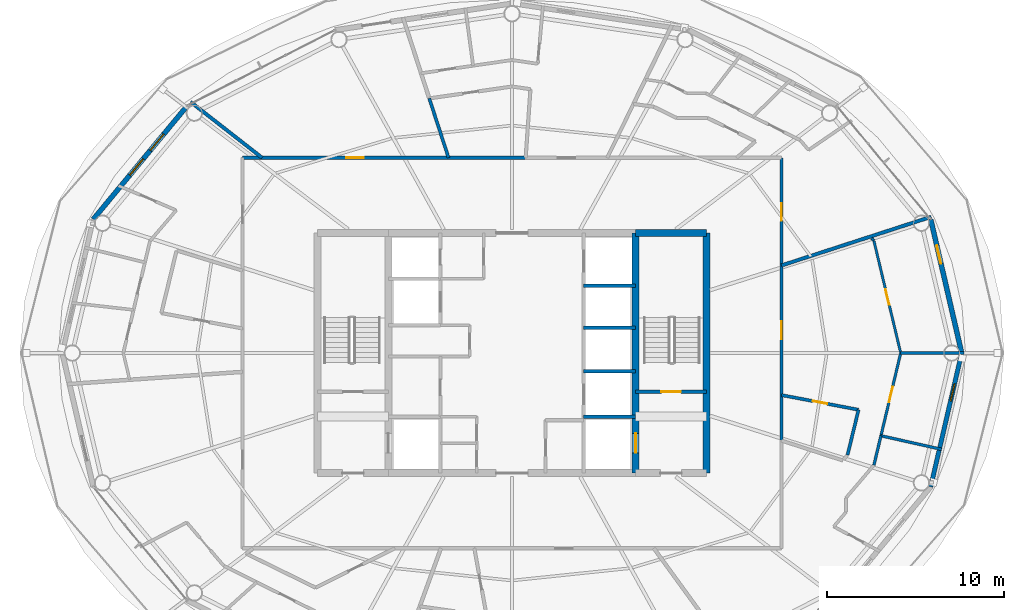
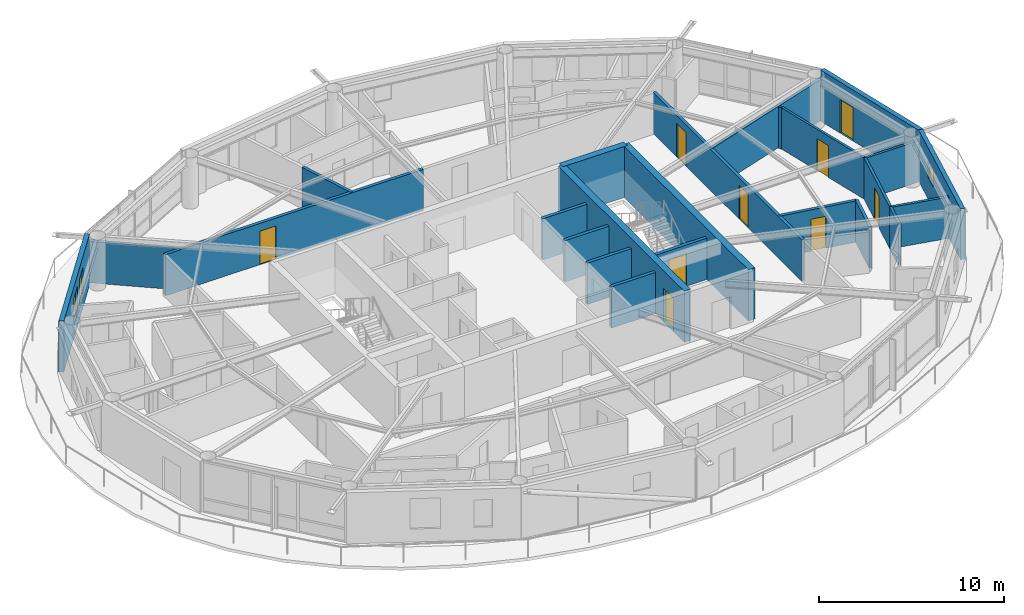
# One storey, part 18 of 23: 24 walls, 9 doors, 3 windows, 12 openings.
"""IFC4 building model written with IfcOpenShell, lengths in metres."""

from ifc_helpers import new_model, si_unit, direction, frame, frame_2d, origin, place, context, subcontext, project, spatial, rectangle, extrude, material, layer, layer_set, type_object, element, fill, save


model = new_model("IFC4")

# Units and contexts
model_context = context("Model", 3, precision=1e-05, world=origin(), true_north=direction((0.0, 1.0)))
body_context = subcontext(model_context, "Body", "Model", "MODEL_VIEW")
ifc_project = project(units=[si_unit("LENGTHUNIT", "METRE"), si_unit("AREAUNIT", "SQUARE_METRE"), si_unit("VOLUMEUNIT", "CUBIC_METRE"), si_unit("PLANEANGLEUNIT", "RADIAN"), si_unit("MASSUNIT", "GRAM", prefix="KILO")], contexts=[model_context])

# Site, building, storey
site_placement = place(None, origin())
site = spatial("IfcSite", under=ifc_project, at=site_placement, CompositionType="ELEMENT")
building_placement = place(site_placement, origin())
building = spatial("IfcBuilding", under=site, at=building_placement, Name="Sarneth Arch Tower", CompositionType="ELEMENT")
storey_placement = place(building_placement, frame((0.0, 0.0, 217.199951171875)))
storey = spatial("IfcBuildingStorey", under=building, at=storey_placement, Name="L55", CompositionType="ELEMENT", Elevation=217.199951171875)

# Walls
ifc_material_1 = material(Name="Concrete C50/60", Category="concrete")
ifc_layer_1 = layer(ifc_material_1, 0.39990234375)
ifc_layer_set_1 = layer_set([ifc_layer_1], Name="Concrete C50/60")
wall_type_1 = type_object("IfcWallType", Name="WALL-CORE-400", PredefinedType="SHEAR", material=ifc_layer_set_1)
wall_1_placement = place(storey_placement, frame((55.0, 48.800048828125, 0.0), z_axis=(0.0, 0.0, 1.0), x_axis=(1.0, 0.0, 0.0)))
element("IfcWall", 1, at=wall_1_placement, inside=storey, type_object=wall_type_1, Name="L55 Core shear wall N-E", PredefinedType="SHEAR", context=body_context, shape_type="SweptSolid", body=[
    extrude(rectangle(XDim=4.0, YDim=0.39990234375, at=frame_2d((2.0, 0.0))), origin(), (0.0, 0.0, 1.0), 3.360107421875),
])
wall_2_placement = place(storey_placement, frame((59.0, 35.199951171875, 0.0), z_axis=(0.0, 0.0, 1.0), x_axis=(0.0, 1.0, 0.0)))
element("IfcWall", 2, at=wall_2_placement, inside=storey, type_object=wall_type_1, Name="L55 Core shear wall E", PredefinedType="SHEAR", context=body_context, shape_type="SweptSolid", body=[
    extrude(rectangle(XDim=13.60009765625, YDim=0.39990234375, at=frame_2d((6.800048828125, 0.0))), origin(), (0.0, 0.0, 1.0), 3.360107421875),
])

# Wall, opening, door
wall_3_placement = place(storey_placement, frame((55.0, 35.199951171875, 0.0), z_axis=(0.0, 0.0, 1.0), x_axis=(0.0, 1.0, 0.0)))
wall_3 = element("IfcWall", 3, at=wall_3_placement, inside=storey, type_object=wall_type_1, Name="L55 Core shear wall WEB-E", PredefinedType="SHEAR", context=body_context, shape_type="SweptSolid", body=[
    extrude(rectangle(XDim=13.60009765625, YDim=0.39990234375, at=frame_2d((6.800048828125, 0.0))), origin(), (0.0, 0.0, 1.0), 3.360107421875),
])
opening_1_placement = place(wall_3_placement, frame((1.14990234375, 0.0, 0.0)))
opening_1 = element("IfcOpeningElement", 4, at=opening_1_placement, cuts=wall_3, Name="Opening LD-1", PredefinedType="OPENING", context=body_context, shape_type="SweptSolid", body=[
    extrude(rectangle(XDim=1.10009765625, YDim=2.199951171875, at=frame_2d((0.550048828125, 1.10009765625))), frame((0.0, 0.2099609375, 0.0), z_axis=(0.0, -1.0, 0.0), x_axis=(1.0, 0.0, 0.0)), (0.0, 0.0, 1.0), 0.419921875),
])
ifc_material_2 = material(Name="Brushed Stainless Steel 304 lift landing door", Category="steel")
door_type_1 = type_object("IfcDoorType", Name="DR-LIFT-SLIDE-1100", OperationType="SLIDING_TO_LEFT", PredefinedType="DOOR", material=ifc_material_2)
door_1_placement = place(opening_1_placement, origin())
door_1 = element("IfcDoor", 5, at=door_1_placement, inside=storey, type_object=door_type_1, Name="L55 Firefighting lift landing door FL-2", OperationType="SLIDING_TO_RIGHT", OverallHeight=2.199951171875, OverallWidth=1.10009765625, PredefinedType="DOOR", context=body_context, shape_type="SweptSolid", body=[
    extrude(rectangle(XDim=1.10009765625, YDim=2.199951171875, at=frame_2d((0.550048828125, 1.10009765625))), frame((0.0, 0.02490234375, 0.0), z_axis=(0.0, -1.0, 0.0), x_axis=(1.0, 0.0, 0.0)), (0.0, 0.0, 1.0), 0.050048828125),
])
fill(opening_1, door_1)

ifc_material_3 = material(Name="Double steel-stud corridor fire wall", Category="steel")
ifc_layer_2 = layer(ifc_material_3, 0.18994140625)
ifc_layer_set_2 = layer_set([ifc_layer_2], Name="Double steel-stud corridor fire wall")
wall_type_2 = type_object("IfcWallType", Name="WALL-CORR-190", PredefinedType="PARTITIONING", material=ifc_layer_set_2)
wall_4_placement = place(storey_placement, frame((32.75, 53.050048828125, 0.0), z_axis=(0.0, 0.0, 1.0), x_axis=(1.0, 0.0, 0.0)))
wall_4 = element("IfcWall", 6, at=wall_4_placement, inside=storey, type_object=wall_type_2, Name="L55 Interior partition W-L55-TP-006", PredefinedType="PARTITIONING", context=body_context, shape_type="SweptSolid", body=[
    extrude(rectangle(XDim=16.0546875, YDim=0.18994140625, at=frame_2d((8.02734375, 0.0))), origin(), (0.0, 0.0, 1.0), 2.719970703125),
])
opening_2_placement = place(wall_4_placement, frame((5.8740234375, 0.0, 0.0)))
opening_2 = element("IfcOpeningElement", 7, at=opening_2_placement, cuts=wall_4, Name="Opening FD-08", PredefinedType="OPENING", context=body_context, shape_type="SweptSolid", body=[
    extrude(rectangle(XDim=1.0, YDim=2.199951171875, at=frame_2d((0.5, 1.10009765625))), frame((0.0, 0.10498046875, 0.0), z_axis=(0.0, -1.0, 0.0), x_axis=(1.0, 0.0, 0.0)), (0.0, 0.0, 1.0), 0.2099609375),
])
ifc_material_4 = material(Name="Hardwood timber acoustic fire door", Category="wood")
door_type_2 = type_object("IfcDoorType", Name="DR-FD60-1000", OperationType="SINGLE_SWING_LEFT", PredefinedType="DOOR", material=ifc_material_4)
door_2_placement = place(opening_2_placement, origin())
door_2 = element("IfcDoor", 8, at=door_2_placement, inside=storey, type_object=door_type_2, Name="L55 Interior door DR-L55-RAMN-03", OperationType="SINGLE_SWING_RIGHT", OverallHeight=2.199951171875, OverallWidth=1.0, PredefinedType="DOOR", context=body_context, shape_type="SweptSolid", body=[
    extrude(rectangle(XDim=1.0, YDim=2.199951171875, at=frame_2d((0.5, 1.10009765625))), frame((0.0, 0.02490234375, 0.0), z_axis=(0.0, -1.0, 0.0), x_axis=(1.0, 0.0, 0.0)), (0.0, 0.0, 1.0), 0.050048828125),
])
fill(opening_2, door_2)

# Wall, openings, doors
wall_5_placement = place(storey_placement, frame((63.25, 53.050048828125, 0.0), z_axis=(0.0, 0.0, 1.0), x_axis=(0.0, -1.0, 0.0)))
wall_5 = element("IfcWall", 9, at=wall_5_placement, inside=storey, type_object=wall_type_2, Name="L55 Interior partition W-L55-TP-019", PredefinedType="PARTITIONING", context=body_context, shape_type="SweptSolid", body=[
    extrude(rectangle(XDim=16.03857421875, YDim=0.18994140625, at=frame_2d((8.019287109375, 0.0))), origin(), (0.0, 0.0, 1.0), 2.719970703125),
])
opening_3_placement = place(wall_5_placement, frame((9.2626953125, 0.0, 0.0)))
opening_3 = element("IfcOpeningElement", 10, at=opening_3_placement, cuts=wall_5, Name="Opening FD-08", PredefinedType="OPENING", context=body_context, shape_type="SweptSolid", body=[
    extrude(rectangle(XDim=1.0, YDim=2.199951171875, at=frame_2d((0.5, 1.10009765625))), frame((0.0, 0.10498046875, 0.0), z_axis=(0.0, -1.0, 0.0), x_axis=(1.0, 0.0, 0.0)), (0.0, 0.0, 1.0), 0.2099609375),
])
opening_4_placement = place(wall_5_placement, frame((2.564208984375, 0.0, 0.0)))
opening_4 = element("IfcOpeningElement", 11, at=opening_4_placement, cuts=wall_5, Name="Opening FD-08", PredefinedType="OPENING", context=body_context, shape_type="SweptSolid", body=[
    extrude(rectangle(XDim=1.0, YDim=2.199951171875, at=frame_2d((0.5, 1.10009765625))), frame((0.0, 0.10498046875, 0.0), z_axis=(0.0, -1.0, 0.0), x_axis=(1.0, 0.0, 0.0)), (0.0, 0.0, 1.0), 0.2099609375),
])
door_3_placement = place(opening_3_placement, origin())
door_3 = element("IfcDoor", 12, at=door_3_placement, inside=storey, type_object=door_type_2, Name="L55 Interior door DR-L55-U7-ENT", OperationType="SINGLE_SWING_LEFT", OverallHeight=2.199951171875, OverallWidth=1.0, PredefinedType="DOOR", context=body_context, shape_type="SweptSolid", body=[
    extrude(rectangle(XDim=1.0, YDim=2.199951171875, at=frame_2d((0.5, 1.10009765625))), frame((0.0, 0.02490234375, 0.0), z_axis=(0.0, -1.0, 0.0), x_axis=(1.0, 0.0, 0.0)), (0.0, 0.0, 1.0), 0.050048828125),
])
fill(opening_3, door_3)
door_4_placement = place(opening_4_placement, origin())
door_4 = element("IfcDoor", 13, at=door_4_placement, inside=storey, type_object=door_type_2, Name="L55 Interior door DR-L55-U1-ENT", OperationType="SINGLE_SWING_LEFT", OverallHeight=2.199951171875, OverallWidth=1.0, PredefinedType="DOOR", context=body_context, shape_type="SweptSolid", body=[
    extrude(rectangle(XDim=1.0, YDim=2.199951171875, at=frame_2d((0.5, 1.10009765625))), frame((0.0, 0.02490234375, 0.0), z_axis=(0.0, -1.0, 0.0), x_axis=(1.0, 0.0, 0.0)), (0.0, 0.0, 1.0), 0.050048828125),
])
fill(opening_4, door_4)

# Wall, opening, window
ifc_material_5 = material(Name="Extruded terracotta rainscreen on Concrete C40/50 backing", Category="masonry")
ifc_layer_3 = layer(ifc_material_5, 0.25)
ifc_layer_set_3 = layer_set([ifc_layer_3], Name="Extruded terracotta rainscreen on Concrete C40/50 backing")
wall_type_3 = type_object("IfcWallType", Name="WALL-EXT-SPAND-250", PredefinedType="SOLIDWALL", material=ifc_layer_set_3)
wall_6_placement = place(storey_placement, frame((71.69384765625, 34.430419921875, 0.0), z_axis=(0.0, 0.0, 1.0), x_axis=(0.225635078214, 0.974211892495, 0.0)))
wall_6 = element("IfcWall", 14, at=wall_6_placement, inside=storey, type_object=wall_type_3, Name="L55 Terracotta perimeter wall 16", PredefinedType="SOLIDWALL", context=body_context, shape_type="SweptSolid", body=[
    extrude(rectangle(XDim=7.77001953125, YDim=0.25, at=frame_2d((3.885009765625, 0.0))), origin(), (0.0, 0.0, 1.0), 3.360107421875),
])
opening_5_placement = place(wall_6_placement, frame((4.98291015625, 0.0, 1.419921875)))
opening_5 = element("IfcOpeningElement", 15, at=opening_5_placement, cuts=wall_6, Name="Opening W-14", PredefinedType="OPENING", context=body_context, shape_type="SweptSolid", body=[
    extrude(rectangle(XDim=1.0, YDim=1.050048828125, at=frame_2d((0.5, 0.52490234375))), frame((0.0, 0.135009765625, 0.0), z_axis=(0.0, -1.0, 0.0), x_axis=(1.0, 0.0, 0.0)), (0.0, 0.0, 1.0), 0.27001953125),
])
ifc_material_6 = material(Name="Thermally broken Aluminium 6063-T6 and low-e laminated IGU", Category="aluminium")
window_type_1 = type_object("IfcWindowType", Name="WIN-TWR-1000x1050", PartitioningType="SINGLE_PANEL", PredefinedType="WINDOW", material=ifc_material_6)
window_1_placement = place(opening_5_placement, origin())
window_1 = element("IfcWindow", 16, at=window_1_placement, inside=storey, type_object=window_type_1, Name="L55 Dwelling bedroom window 05", OverallHeight=1.050048828125, OverallWidth=1.0, PartitioningType="SINGLE_PANEL", PredefinedType="WINDOW", context=body_context, shape_type="SweptSolid", body=[
    extrude(rectangle(XDim=1.0, YDim=1.050048828125, at=frame_2d((0.5, 0.52490234375))), frame((0.0, 0.030029296875, 0.0), z_axis=(0.0, -1.0, 0.0), x_axis=(1.0, 0.0, 0.0)), (0.0, 0.0, 1.0), 0.06005859375),
])
fill(opening_5, window_1)

# Wall, opening, door
ifc_material_7 = material(Name="Extruded terracotta rainscreen on Concrete C40/50 backing", Category="masonry")
ifc_layer_4 = layer(ifc_material_7, 0.280029296875)
ifc_layer_set_4 = layer_set([ifc_layer_4], Name="Extruded terracotta rainscreen on Concrete C40/50 backing")
wall_type_4 = type_object("IfcWallType", Name="WALL-EXT-TERRA-280", PredefinedType="SOLIDWALL", material=ifc_layer_set_4)
wall_7_placement = place(storey_placement, frame((73.447021484375, 42.0, 0.0), z_axis=(0.0, 0.0, 1.0), x_axis=(-0.225635078214, 0.974211892495, 0.0)))
wall_7 = element("IfcWall", 17, at=wall_7_placement, inside=storey, type_object=wall_type_4, Name="L55 Terracotta perimeter wall 01", PredefinedType="SOLIDWALL", context=body_context, shape_type="SweptSolid", body=[
    extrude(rectangle(XDim=7.77001953125, YDim=0.280029296875, at=frame_2d((3.885009765625, 0.0))), origin(), (0.0, 0.0, 1.0), 3.360107421875),
])
opening_6_placement = place(wall_7_placement, frame((5.192138671875, 0.0, 0.0)))
opening_6 = element("IfcOpeningElement", 18, at=opening_6_placement, cuts=wall_7, Name="Opening BD-4", PredefinedType="OPENING", context=body_context, shape_type="SweptSolid", body=[
    extrude(rectangle(XDim=1.050048828125, YDim=2.199951171875, at=frame_2d((0.52490234375, 1.10009765625))), frame((0.0, 0.14990234375, 0.0), z_axis=(0.0, -1.0, 0.0), x_axis=(1.0, 0.0, 0.0)), (0.0, 0.0, 1.0), 0.300048828125),
])
ifc_material_8 = material(Name="Thermally broken Aluminium 6063-T6 and laminated safety glass", Category="aluminium")
door_type_3 = type_object("IfcDoorType", Name="DR-BALC-GLZ-1050", OperationType="SINGLE_SWING_RIGHT", PredefinedType="DOOR", material=ifc_material_8)
door_5_placement = place(opening_6_placement, origin())
door_5 = element("IfcDoor", 19, at=door_5_placement, inside=storey, type_object=door_type_3, Name="L55 Balcony glazed door 01", OperationType="SINGLE_SWING_RIGHT", OverallHeight=2.199951171875, OverallWidth=1.050048828125, PredefinedType="DOOR", context=body_context, shape_type="SweptSolid", body=[
    extrude(rectangle(XDim=1.050048828125, YDim=2.199951171875, at=frame_2d((0.52490234375, 1.10009765625))), frame((0.0, 0.02490234375, 0.0), z_axis=(0.0, -1.0, 0.0), x_axis=(1.0, 0.0, 0.0)), (0.0, 0.0, 1.0), 0.050048828125),
])
fill(opening_6, door_5)

# Wall, openings, windows
wall_8_placement = place(storey_placement, frame((29.617431640625, 55.986572265625, 0.0), z_axis=(0.0, 0.0, 1.0), x_axis=(-0.63761509934, -0.770355103243, 0.0)))
wall_8 = element("IfcWall", 20, at=wall_8_placement, inside=storey, type_object=wall_type_4, Name="L55 Terracotta perimeter wall 07", PredefinedType="SOLIDWALL", context=body_context, shape_type="SweptSolid", body=[
    extrude(rectangle(XDim=8.329833984375, YDim=0.280029296875, at=frame_2d((4.1650390625, 0.0))), origin(), (0.0, 0.0, 1.0), 3.360107421875),
])
opening_7_placement = place(wall_8_placement, frame((2.07421875, 0.0, 0.85009765625)))
opening_7 = element("IfcOpeningElement", 21, at=opening_7_placement, cuts=wall_8, Name="Opening W-09", PredefinedType="OPENING", context=body_context, shape_type="SweptSolid", body=[
    extrude(rectangle(XDim=1.199951171875, YDim=1.800048828125, at=frame_2d((0.60009765625, 0.89990234375))), frame((0.0, 0.14990234375, 0.0), z_axis=(0.0, -1.0, 0.0), x_axis=(1.0, 0.0, 0.0)), (0.0, 0.0, 1.0), 0.300048828125),
])
opening_8_placement = place(wall_8_placement, frame((3.892333984375, 0.0, 0.85009765625)))
opening_8 = element("IfcOpeningElement", 22, at=opening_8_placement, cuts=wall_8, Name="Opening W-09", PredefinedType="OPENING", context=body_context, shape_type="SweptSolid", body=[
    extrude(rectangle(XDim=1.199951171875, YDim=1.800048828125, at=frame_2d((0.60009765625, 0.89990234375))), frame((0.0, 0.14990234375, 0.0), z_axis=(0.0, -1.0, 0.0), x_axis=(1.0, 0.0, 0.0)), (0.0, 0.0, 1.0), 0.300048828125),
])
ifc_material_9 = material(Name="Thermally broken Aluminium 6063-T6 and low-e laminated IGU", Category="aluminium")
window_type_2 = type_object("IfcWindowType", Name="WIN-TWR-1200x1800", PartitioningType="SINGLE_PANEL", PredefinedType="WINDOW", material=ifc_material_9)
window_2_placement = place(opening_7_placement, origin())
window_2 = element("IfcWindow", 23, at=window_2_placement, inside=storey, type_object=window_type_2, Name="L55 Exterior window 07A", OverallHeight=1.800048828125, OverallWidth=1.199951171875, PartitioningType="SINGLE_PANEL", PredefinedType="WINDOW", context=body_context, shape_type="SweptSolid", body=[
    extrude(rectangle(XDim=1.199951171875, YDim=1.800048828125, at=frame_2d((0.60009765625, 0.89990234375))), frame((0.0, 0.030029296875, 0.0), z_axis=(0.0, -1.0, 0.0), x_axis=(1.0, 0.0, 0.0)), (0.0, 0.0, 1.0), 0.06005859375),
])
fill(opening_7, window_2)
window_3_placement = place(opening_8_placement, origin())
window_3 = element("IfcWindow", 24, at=window_3_placement, inside=storey, type_object=window_type_2, Name="L55 Exterior window 07B", OverallHeight=1.800048828125, OverallWidth=1.199951171875, PartitioningType="SINGLE_PANEL", PredefinedType="WINDOW", context=body_context, shape_type="SweptSolid", body=[
    extrude(rectangle(XDim=1.199951171875, YDim=1.800048828125, at=frame_2d((0.60009765625, 0.89990234375))), frame((0.0, 0.030029296875, 0.0), z_axis=(0.0, -1.0, 0.0), x_axis=(1.0, 0.0, 0.0)), (0.0, 0.0, 1.0), 0.06005859375),
])
fill(opening_8, window_3)

# Wall, opening, door
ifc_material_10 = material(Name="Apartment internal stud partition", Category="gypsum")
ifc_layer_5 = layer(ifc_material_10, 0.139892578125)
ifc_layer_set_5 = layer_set([ifc_layer_5], Name="Apartment internal stud partition")
wall_type_5 = type_object("IfcWallType", Name="WALL-PART-140", PredefinedType="PARTITIONING", material=ifc_layer_set_5)
wall_9_placement = place(storey_placement, frame((69.996337890625, 42.0, 0.0), z_axis=(0.0, 0.0, 1.0), x_axis=(-0.232298462197, 0.972644551962, 0.0)))
wall_9 = element("IfcWall", 25, at=wall_9_placement, inside=storey, type_object=wall_type_5, Name="L55 Interior partition W-L55-TP-104", PredefinedType="PARTITIONING", context=body_context, shape_type="SweptSolid", body=[
    extrude(rectangle(XDim=6.5234375, YDim=0.139892578125, at=frame_2d((3.26171875, 0.0))), origin(), (0.0, 0.0, 1.0), 2.719970703125),
])
opening_9_placement = place(wall_9_placement, frame((2.811767578125, 0.0, 0.0)))
opening_9 = element("IfcOpeningElement", 26, at=opening_9_placement, cuts=wall_9, Name="Opening ID-01", PredefinedType="OPENING", context=body_context, shape_type="SweptSolid", body=[
    extrude(rectangle(XDim=0.89990234375, YDim=2.10009765625, at=frame_2d((0.449951171875, 1.050048828125))), frame((0.0, 0.079833984375, 0.0), z_axis=(0.0, -1.0, 0.0), x_axis=(1.0, 0.0, 0.0)), (0.0, 0.0, 1.0), 0.159912109375),
])
ifc_material_11 = material(Name="Engineered hardwood flush door", Category="wood")
door_type_4 = type_object("IfcDoorType", Name="DR-INT-900", OperationType="SINGLE_SWING_LEFT", PredefinedType="DOOR", material=ifc_material_11)
door_6_placement = place(opening_9_placement, origin())
door_6 = element("IfcDoor", 27, at=door_6_placement, inside=storey, type_object=door_type_4, Name="L55 Interior door DR-L55-U7-BED2", OperationType="SINGLE_SWING_RIGHT", OverallHeight=2.10009765625, OverallWidth=0.89990234375, PredefinedType="DOOR", context=body_context, shape_type="SweptSolid", body=[
    extrude(rectangle(XDim=0.89990234375, YDim=2.10009765625, at=frame_2d((0.449951171875, 1.050048828125))), frame((0.0, 0.02490234375, 0.0), z_axis=(0.0, -1.0, 0.0), x_axis=(1.0, 0.0, 0.0)), (0.0, 0.0, 1.0), 0.050048828125),
])
fill(opening_9, door_6)

# Wall
wall_10_placement = place(storey_placement, frame((68.468017578125, 48.360107421875, 0.0), z_axis=(0.0, 0.0, 1.0), x_axis=(-0.649065422773, 0.760732592282, 0.0)))
element("IfcWall", 28, at=wall_10_placement, inside=storey, type_object=wall_type_5, Name="L55 Interior partition W-L55-TP-105", PredefinedType="PARTITIONING", context=body_context, shape_type="SweptSolid", body=[
    extrude(rectangle(XDim=0.1748046875, YDim=0.139892578125, at=frame_2d((0.08740234375, 0.0))), origin(), (0.0, 0.0, 1.0), 2.719970703125),
])

# Wall, opening, door
ifc_material_12 = material(Name="Acoustic gypsum stud partition", Category="gypsum")
ifc_layer_6 = layer(ifc_material_12, 0.14990234375)
ifc_layer_set_6 = layer_set([ifc_layer_6], Name="Acoustic gypsum stud partition")
wall_type_6 = type_object("IfcWallType", Name="WALL-PART-150", PredefinedType="PARTITIONING", material=ifc_layer_set_6)
wall_11_placement = place(storey_placement, frame((68.878173828125, 37.318603515625, 0.0), z_axis=(0.0, 0.0, 1.0), x_axis=(0.232317655908, 0.972639967693, 0.0)))
wall_11 = element("IfcWall", 29, at=wall_11_placement, inside=storey, type_object=wall_type_6, Name="L55 Interior partition W-L55-TP-103", PredefinedType="PARTITIONING", context=body_context, shape_type="SweptSolid", body=[
    extrude(rectangle(XDim=4.81298828125, YDim=0.14990234375, at=frame_2d((2.406494140625, 0.0))), origin(), (0.0, 0.0, 1.0), 2.719970703125),
])
opening_10_placement = place(wall_11_placement, frame((1.95654296875, 0.0, 0.0)))
opening_10 = element("IfcOpeningElement", 30, at=opening_10_placement, cuts=wall_11, Name="Opening ID-01", PredefinedType="OPENING", context=body_context, shape_type="SweptSolid", body=[
    extrude(rectangle(XDim=0.89990234375, YDim=2.10009765625, at=frame_2d((0.449951171875, 1.050048828125))), frame((0.0, 0.0849609375, 0.0), z_axis=(0.0, -1.0, 0.0), x_axis=(1.0, 0.0, 0.0)), (0.0, 0.0, 1.0), 0.169921875),
])
door_7_placement = place(opening_10_placement, origin())
door_7 = element("IfcDoor", 31, at=door_7_placement, inside=storey, type_object=door_type_4, Name="L55 Interior door DR-L55-U7-BED1", OperationType="SINGLE_SWING_LEFT", OverallHeight=2.10009765625, OverallWidth=0.89990234375, PredefinedType="DOOR", context=body_context, shape_type="SweptSolid", body=[
    extrude(rectangle(XDim=0.89990234375, YDim=2.10009765625, at=frame_2d((0.449951171875, 1.050048828125))), frame((0.0, 0.02490234375, 0.0), z_axis=(0.0, -1.0, 0.0), x_axis=(1.0, 0.0, 0.0)), (0.0, 0.0, 1.0), 0.050048828125),
])
fill(opening_10, door_7)

# Walls
wall_12_placement = place(storey_placement, frame((69.996337890625, 42.0, 0.0), z_axis=(0.0, 0.0, 1.0), x_axis=(1.0, 0.0, 0.0)))
element("IfcWall", 32, at=wall_12_placement, inside=storey, type_object=wall_type_6, Name="L55 Interior partition W-L55-TP-107", PredefinedType="PARTITIONING", context=body_context, shape_type="SweptSolid", body=[
    extrude(rectangle(XDim=3.570556640625, YDim=0.14990234375, at=frame_2d((1.78515625, 0.0))), origin(), (0.0, 0.0, 1.0), 2.719970703125),
])
ifc_material_13 = material(Name="Kitchen wet service chase wall", Category="gypsum")
ifc_layer_7 = layer(ifc_material_13, 0.159912109375)
ifc_layer_set_7 = layer_set([ifc_layer_7], Name="Kitchen wet service chase wall")
wall_type_7 = type_object("IfcWallType", Name="WALL-PLUMB-160", PredefinedType="PLUMBINGWALL", material=ifc_layer_set_7)
wall_13_placement = place(storey_placement, frame((72.3076171875, 36.549560546875, 0.0), z_axis=(0.0, 0.0, 1.0), x_axis=(-0.975766823268, 0.218812948907, 0.0)))
element("IfcWall", 33, at=wall_13_placement, inside=storey, type_object=wall_type_7, Name="L55 Interior partition W-L55-TP-106", PredefinedType="PLUMBINGWALL", context=body_context, shape_type="SweptSolid", body=[
    extrude(rectangle(XDim=3.5146484375, YDim=0.159912109375, at=frame_2d((1.75732421875, 0.0))), origin(), (0.0, 0.0, 1.0), 2.719970703125),
])
wall_14_placement = place(storey_placement, frame((68.48095703125, 35.655029296875, 0.0), z_axis=(0.0, 0.0, 1.0), x_axis=(0.232244448499, 0.972657450566, 0.0)))
element("IfcWall", 34, at=wall_14_placement, inside=storey, type_object=wall_type_7, Name="L55 Interior partition W-L55-TP-098", PredefinedType="PLUMBINGWALL", context=body_context, shape_type="SweptSolid", body=[
    extrude(rectangle(XDim=1.71044921875, YDim=0.159912109375, at=frame_2d((0.855224609375, 0.0))), origin(), (0.0, 0.0, 1.0), 2.719970703125),
])

# Wall, opening, door
ifc_material_14 = material(Name="Moisture-resistant plumbing chase wall", Category="gypsum")
ifc_layer_8 = layer(ifc_material_14, 0.179931640625)
ifc_layer_set_8 = layer_set([ifc_layer_8], Name="Moisture-resistant plumbing chase wall")
wall_type_8 = type_object("IfcWallType", Name="WALL-PLUMB-180", PredefinedType="PLUMBINGWALL", material=ifc_layer_set_8)
wall_15_placement = place(storey_placement, frame((67.61083984375, 38.789306640625, 0.0), z_axis=(0.0, 0.0, 1.0), x_axis=(-0.982402054119, 0.186778489295, 0.0)))
wall_15 = element("IfcWall", 35, at=wall_15_placement, inside=storey, type_object=wall_type_8, Name="L55 Interior partition W-L55-TP-102", PredefinedType="PLUMBINGWALL", context=body_context, shape_type="SweptSolid", body=[
    extrude(rectangle(XDim=4.43896484375, YDim=0.179931640625, at=frame_2d((2.219482421875, 0.0))), origin(), (0.0, 0.0, 1.0), 2.719970703125),
])
opening_11_placement = place(wall_15_placement, frame((1.79443359375, 0.0, 0.0)))
opening_11 = element("IfcOpeningElement", 36, at=opening_11_placement, cuts=wall_15, Name="Opening ID-02", PredefinedType="OPENING", context=body_context, shape_type="SweptSolid", body=[
    extrude(rectangle(XDim=0.85009765625, YDim=2.10009765625, at=frame_2d((0.425048828125, 1.050048828125))), frame((0.0, 0.099853515625, 0.0), z_axis=(0.0, -1.0, 0.0), x_axis=(1.0, 0.0, 0.0)), (0.0, 0.0, 1.0), 0.199951171875),
])
ifc_material_15 = material(Name="Moisture-resistant bathroom timber door", Category="wood")
door_type_5 = type_object("IfcDoorType", Name="DR-INT-850", OperationType="SINGLE_SWING_RIGHT", PredefinedType="DOOR", material=ifc_material_15)
door_8_placement = place(opening_11_placement, origin())
door_8 = element("IfcDoor", 37, at=door_8_placement, inside=storey, type_object=door_type_5, Name="L55 Interior door DR-L55-U7-BATH", OperationType="SINGLE_SWING_LEFT", OverallHeight=2.10009765625, OverallWidth=0.85009765625, PredefinedType="DOOR", context=body_context, shape_type="SweptSolid", body=[
    extrude(rectangle(XDim=0.85009765625, YDim=2.10009765625, at=frame_2d((0.425048828125, 1.050048828125))), frame((0.0, 0.02490234375, 0.0), z_axis=(0.0, -1.0, 0.0), x_axis=(1.0, 0.0, 0.0)), (0.0, 0.0, 1.0), 0.050048828125),
])
fill(opening_11, door_8)

# Walls
wall_16_placement = place(storey_placement, frame((44.40966796875, 53.050048828125, 0.0), z_axis=(0.0, 0.0, 1.0), x_axis=(-0.309025133622, 0.951053871655, 0.0)))
element("IfcWall", 38, at=wall_16_placement, inside=storey, type_object=wall_type_8, Name="L55 Interior partition W-L55-TP-050", PredefinedType="PLUMBINGWALL", context=body_context, shape_type="SweptSolid", body=[
    extrude(rectangle(XDim=3.532958984375, YDim=0.179931640625, at=frame_2d((1.7666015625, 0.0))), origin(), (0.0, 0.0, 1.0), 2.719970703125),
])
wall_17_placement = place(storey_placement, frame((66.987548828125, 36.22900390625, 0.0), z_axis=(0.0, 0.0, 1.0), x_axis=(0.236535980753, 0.971622730183, 0.0)))
element("IfcWall", 39, at=wall_17_placement, inside=storey, type_object=wall_type_8, Name="L55 Interior partition W-L55-TP-101", PredefinedType="PLUMBINGWALL", context=body_context, shape_type="SweptSolid", body=[
    extrude(rectangle(XDim=2.635009765625, YDim=0.179931640625, at=frame_2d((1.3173828125, 0.0))), origin(), (0.0, 0.0, 1.0), 2.719970703125),
])

# Wall, opening, door
ifc_material_16 = material(Name="Aerated concrete blockwork C25/30", Category="masonry")
ifc_layer_9 = layer(ifc_material_16, 0.199951171875)
ifc_layer_set_9 = layer_set([ifc_layer_9], Name="Aerated concrete blockwork C25/30")
wall_type_9 = type_object("IfcWallType", Name="WALL-SHAFT-200", PredefinedType="SOLIDWALL", material=ifc_layer_set_9)
wall_18_placement = place(storey_placement, frame((55.0, 39.800048828125, 0.0), z_axis=(0.0, 0.0, 1.0), x_axis=(1.0, 0.0, 0.0)))
wall_18 = element("IfcWall", 40, at=wall_18_placement, inside=storey, type_object=wall_type_9, Name="L55 Interior partition W-L55-ST2-S", PredefinedType="SOLIDWALL", context=body_context, shape_type="SweptSolid", body=[
    extrude(rectangle(XDim=4.0, YDim=0.199951171875, at=frame_2d((2.0, 0.0))), origin(), (0.0, 0.0, 1.0), 2.719970703125),
])
opening_12_placement = place(wall_18_placement, frame((1.449951171875, 0.0, 0.0)))
opening_12 = element("IfcOpeningElement", 41, at=opening_12_placement, cuts=wall_18, Name="Opening FD-03", PredefinedType="OPENING", context=body_context, shape_type="SweptSolid", body=[
    extrude(rectangle(XDim=1.10009765625, YDim=2.14990234375, at=frame_2d((0.550048828125, 1.074951171875))), frame((0.0, 0.10986328125, 0.0), z_axis=(0.0, -1.0, 0.0), x_axis=(1.0, 0.0, 0.0)), (0.0, 0.0, 1.0), 0.219970703125),
])
ifc_material_17 = material(Name="Galvanised Steel S275 fire door set", Category="steel")
door_type_6 = type_object("IfcDoorType", Name="DR-FD90-1100", OperationType="SINGLE_SWING_LEFT", PredefinedType="DOOR", material=ifc_material_17)
door_9_placement = place(opening_12_placement, origin())
door_9 = element("IfcDoor", 42, at=door_9_placement, inside=storey, type_object=door_type_6, Name="L55 Interior door DR-L55-ST2", OperationType="SINGLE_SWING_RIGHT", OverallHeight=2.14990234375, OverallWidth=1.10009765625, PredefinedType="DOOR", context=body_context, shape_type="SweptSolid", body=[
    extrude(rectangle(XDim=1.10009765625, YDim=2.14990234375, at=frame_2d((0.550048828125, 1.074951171875))), frame((0.0, 0.02490234375, 0.0), z_axis=(0.0, -1.0, 0.0), x_axis=(1.0, 0.0, 0.0)), (0.0, 0.0, 1.0), 0.050048828125),
])
fill(opening_12, door_9)

# Walls
for number, where, z_axis, x_axis, name in (
    (43, (52.050048828125, 38.39990234375, 0.0), (0.0, 0.0, 1.0), (1.0, 0.0, 0.0), "L55 Interior partition W-L55-FL2-N"),
    (44, (52.050048828125, 40.97998046875, 0.0), (0.0, 0.0, 1.0), (1.0, 0.0, 0.0), "L55 Interior partition W-L55-EB-DIV-4098"),
    (45, (52.050048828125, 43.419921875, 0.0), (0.0, 0.0, 1.0), (1.0, 0.0, 0.0), "L55 Interior partition W-L55-EB-DIV-4342"),
    (46, (52.050048828125, 45.800048828125, 0.0), (0.0, 0.0, 1.0), (1.0, 0.0, 0.0), "L55 Interior partition W-L55-EB-DIV-4580"),
):
    element("IfcWall", number, at=place(storey_placement, frame(where, z_axis=z_axis, x_axis=x_axis)), inside=storey, type_object=wall_type_9, Name=name, PredefinedType="SOLIDWALL", context=body_context, shape_type="SweptSolid", body=[
        extrude(rectangle(XDim=2.949951171875, YDim=0.199951171875, at=frame_2d((1.47509765625, 0.0))), origin(), (0.0, 0.0, 1.0), 2.719970703125),
    ])
ifc_material_18 = material(Name="Double steel-stud acoustic drywall", Category="steel")
ifc_layer_10 = layer(ifc_material_18, 0.199951171875)
ifc_layer_set_10 = layer_set([ifc_layer_10], Name="Double steel-stud acoustic drywall")
wall_type_10 = type_object("IfcWallType", Name="WALL-UNIT-200", PredefinedType="PARTITIONING", material=ifc_layer_set_10)
wall_19_placement = place(storey_placement, frame((63.25, 46.955078125, 0.0), z_axis=(0.0, 0.0, 1.0), x_axis=(0.951059035429, 0.30900924117, 0.0)))
element("IfcWall", 47, at=wall_19_placement, inside=storey, type_object=wall_type_10, Name="L55 Interior partition W-L55-TP-035", PredefinedType="PARTITIONING", context=body_context, shape_type="SweptSolid", body=[
    extrude(rectangle(XDim=8.90966796875, YDim=0.199951171875, at=frame_2d((4.454833984375, 0.0))), origin(), (0.0, 0.0, 1.0), 2.719970703125),
])
wall_20_placement = place(storey_placement, frame((29.81298828125, 56.208984375, 0.0), z_axis=(0.0, 0.0, 1.0), x_axis=(0.788043849094, -0.615619112687, 0.0)))
element("IfcWall", 48, at=wall_20_placement, inside=storey, type_object=wall_type_10, Name="L55 Interior partition W-L55-TP-052", PredefinedType="PARTITIONING", context=body_context, shape_type="SweptSolid", body=[
    extrude(rectangle(XDim=5.13134765625, YDim=0.199951171875, at=frame_2d((2.565673828125, 0.0))), origin(), (0.0, 0.0, 1.0), 2.719970703125),
])

save(model, "model.ifc")
